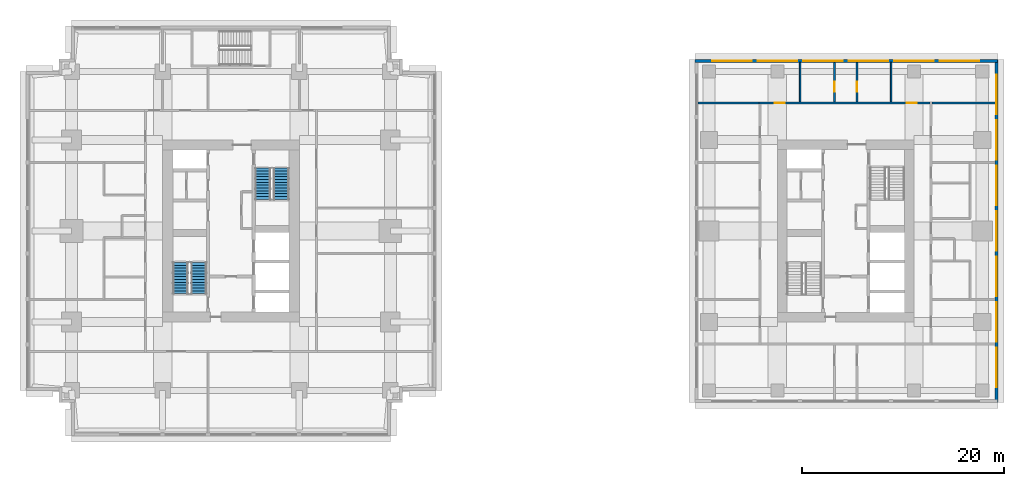
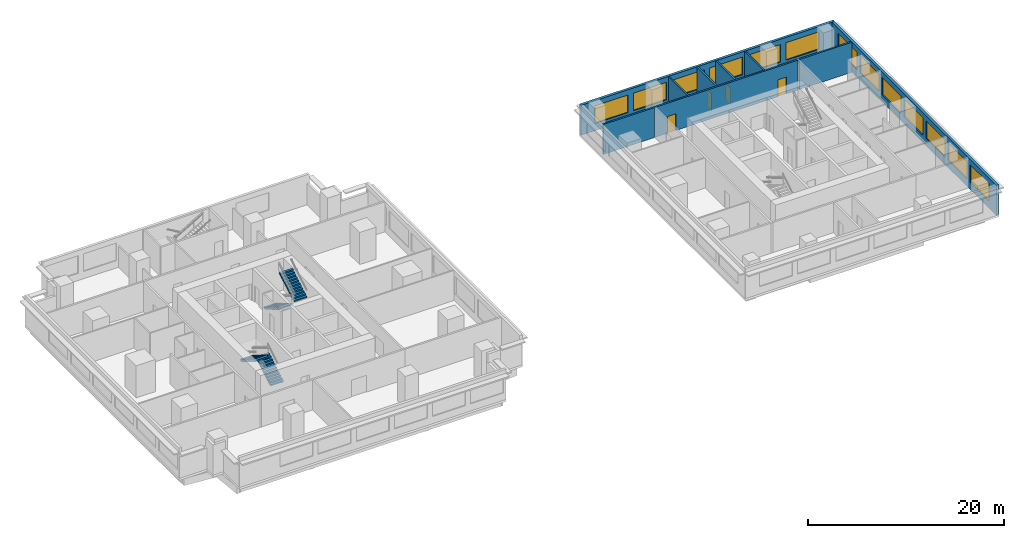
# One storey, part 8 of 11: 13 windows, 9 walls, 4 doors, 4 stair flights, 17 openings, 2 elements without a shape of their own.
"""IFC4 building model written with IfcOpenShell, lengths in metres."""

from ifc_helpers import new_model, si_unit, direction, frame, frame_2d, origin, place, context, subcontext, project, spatial, polyline, rectangle, outline, extrude, material, layer, layer_set, type_object, element, fill, aggregate, save


model = new_model("IFC4")

# Units and contexts
model_context = context("Model", 3, precision=1e-05, world=origin(), true_north=direction((0.0, 1.0)))
body_context = subcontext(model_context, "Body", "Model", "MODEL_VIEW")
ifc_project = project(units=[si_unit("LENGTHUNIT", "METRE"), si_unit("AREAUNIT", "SQUARE_METRE"), si_unit("VOLUMEUNIT", "CUBIC_METRE"), si_unit("PLANEANGLEUNIT", "RADIAN"), si_unit("MASSUNIT", "GRAM", prefix="KILO")], contexts=[model_context])

# Site, building, storey
site_placement = place(None, origin())
site = spatial("IfcSite", under=ifc_project, at=site_placement, CompositionType="ELEMENT")
building_placement = place(site_placement, origin())
building = spatial("IfcBuilding", under=site, at=building_placement, Name="Namib Vertical Campus", CompositionType="ELEMENT")
storey_placement = place(building_placement, frame((0.0, 0.0, 225.0)))
storey = spatial("IfcBuildingStorey", under=building, at=storey_placement, Name="L53", CompositionType="ELEMENT", Elevation=225.0)

# Wall, openings, doors
ifc_material_1 = material(Name="Concrete masonry", Category="masonry")
ifc_layer_1 = layer(ifc_material_1, 0.199951171875)
ifc_layer_set_1 = layer_set([ifc_layer_1], Name="Corridor wall 200")
wall_type_1 = type_object("IfcWallType", Name="Corridor wall 200", PredefinedType="SOLIDWALL", material=ifc_layer_set_1)
wall_1_placement = place(storey_placement, frame((89.35009765625, 32.89990234375, 0.0), z_axis=(0.0, 0.0, 1.0), x_axis=(-1.0, 0.0, 0.0)))
wall_1 = element("IfcWall", 1, at=wall_1_placement, inside=storey, type_object=wall_type_1, Name="Corridor wall B L53 CN", PredefinedType="SOLIDWALL", context=body_context, shape_type="SweptSolid", body=[
    extrude(rectangle(XDim=16.900146484375, YDim=0.199951171875, at=frame_2d((8.4501953125, 0.0))), origin(), (0.0, 0.0, 1.0), 3.75),
])
opening_1_placement = place(wall_1_placement, frame((14.375, 0.0, 0.0)))
opening_1 = element("IfcOpeningElement", 2, at=opening_1_placement, cuts=wall_1, Name="Opening CD1", PredefinedType="OPENING", context=body_context, shape_type="SweptSolid", body=[
    extrude(rectangle(XDim=1.0, YDim=2.10009765625, at=frame_2d((0.5, 1.050048828125))), frame((0.0, 0.10986328125, 0.0), z_axis=(0.0, -1.0, 0.0), x_axis=(1.0, 0.0, 0.0)), (0.0, 0.0, 1.0), 0.219970703125),
])
opening_2_placement = place(wall_1_placement, frame((1.324951171875, 0.0, 0.0)))
opening_2 = element("IfcOpeningElement", 3, at=opening_2_placement, cuts=wall_1, Name="Opening CD1", PredefinedType="OPENING", context=body_context, shape_type="SweptSolid", body=[
    extrude(rectangle(XDim=1.0, YDim=2.10009765625, at=frame_2d((0.5, 1.050048828125))), frame((0.0, 0.10986328125, 0.0), z_axis=(0.0, -1.0, 0.0), x_axis=(1.0, 0.0, 0.0)), (0.0, 0.0, 1.0), 0.219970703125),
])
ifc_material_2 = material(Name="Timber fire door leaf", Category="wood")
door_type = type_object("IfcDoorType", Name="Corridor door 1000x2100 20 min", OperationType="SINGLE_SWING_LEFT", PredefinedType="DOOR", material=ifc_material_2)
door_1_placement = place(opening_1_placement, frame((1.0, 0.0, 0.0), z_axis=(0.0, 0.0, 1.0), x_axis=(-1.0, 0.0, 0.0)))
door_1 = element("IfcDoor", 4, at=door_1_placement, inside=storey, type_object=door_type, Name="Door CD1 B53-10", OperationType="SINGLE_SWING_RIGHT", OverallHeight=2.10009765625, OverallWidth=1.0, PredefinedType="DOOR", context=body_context, shape_type="SweptSolid", body=[
    extrude(rectangle(XDim=1.0, YDim=2.10009765625, at=frame_2d((0.5, 1.050048828125))), frame((0.0, 0.02490234375, 0.0), z_axis=(0.0, -1.0, 0.0), x_axis=(1.0, 0.0, 0.0)), (0.0, 0.0, 1.0), 0.050048828125),
])
fill(opening_1, door_1)
door_2_placement = place(opening_2_placement, frame((1.0, 0.0, 0.0), z_axis=(0.0, 0.0, 1.0), x_axis=(-1.0, 0.0, 0.0)))
door_2 = element("IfcDoor", 5, at=door_2_placement, inside=storey, type_object=door_type, Name="Door CD1 B53-13", OperationType="SINGLE_SWING_LEFT", OverallHeight=2.10009765625, OverallWidth=1.0, PredefinedType="DOOR", context=body_context, shape_type="SweptSolid", body=[
    extrude(rectangle(XDim=1.0, YDim=2.10009765625, at=frame_2d((0.5, 1.050048828125))), frame((0.0, 0.02490234375, 0.0), z_axis=(0.0, -1.0, 0.0), x_axis=(1.0, 0.0, 0.0)), (0.0, 0.0, 1.0), 0.050048828125),
])
fill(opening_2, door_2)

# Wall, opening, door
wall_2_placement = place(storey_placement, frame((79.89990234375, 33.0, 0.0), z_axis=(0.0, 0.0, 1.0), x_axis=(0.0, 1.0, 0.0)))
wall_2 = element("IfcWall", 6, at=wall_2_placement, inside=storey, type_object=wall_type_1, Name="Corridor wall B L53 SPN1", PredefinedType="SOLIDWALL", context=body_context, shape_type="SweptSolid", body=[
    extrude(rectangle(XDim=3.89990234375, YDim=0.199951171875, at=frame_2d((1.949951171875, 0.0))), origin(), (0.0, 0.0, 1.0), 3.75),
])
opening_3_placement = place(wall_2_placement, frame((1.0, 0.0, 0.0)))
opening_3 = element("IfcOpeningElement", 7, at=opening_3_placement, cuts=wall_2, Name="Opening CD1", PredefinedType="OPENING", context=body_context, shape_type="SweptSolid", body=[
    extrude(rectangle(XDim=1.0, YDim=2.10009765625, at=frame_2d((0.5, 1.050048828125))), frame((0.0, 0.10986328125, 0.0), z_axis=(0.0, -1.0, 0.0), x_axis=(1.0, 0.0, 0.0)), (0.0, 0.0, 1.0), 0.219970703125),
])
door_3_placement = place(opening_3_placement, origin())
door_3 = element("IfcDoor", 8, at=door_3_placement, inside=storey, type_object=door_type, Name="Door CD1 B53-11", OperationType="SINGLE_SWING_LEFT", OverallHeight=2.10009765625, OverallWidth=1.0, PredefinedType="DOOR", context=body_context, shape_type="SweptSolid", body=[
    extrude(rectangle(XDim=1.0, YDim=2.10009765625, at=frame_2d((0.5, 1.050048828125))), frame((0.0, 0.02490234375, 0.0), z_axis=(0.0, -1.0, 0.0), x_axis=(1.0, 0.0, 0.0)), (0.0, 0.0, 1.0), 0.050048828125),
])
fill(opening_3, door_3)

wall_3_placement = place(storey_placement, frame((82.10009765625, 36.89990234375, 0.0), z_axis=(0.0, 0.0, 1.0), x_axis=(0.0, -1.0, 0.0)))
wall_3 = element("IfcWall", 9, at=wall_3_placement, inside=storey, type_object=wall_type_1, Name="Corridor wall B L53 SPN2", PredefinedType="SOLIDWALL", context=body_context, shape_type="SweptSolid", body=[
    extrude(rectangle(XDim=3.89990234375, YDim=0.199951171875, at=frame_2d((1.949951171875, 0.0))), origin(), (0.0, 0.0, 1.0), 3.75),
])
opening_4_placement = place(wall_3_placement, frame((1.89990234375, 0.0, 0.0)))
opening_4 = element("IfcOpeningElement", 10, at=opening_4_placement, cuts=wall_3, Name="Opening CD1", PredefinedType="OPENING", context=body_context, shape_type="SweptSolid", body=[
    extrude(rectangle(XDim=1.0, YDim=2.10009765625, at=frame_2d((0.5, 1.050048828125))), frame((0.0, 0.10986328125, 0.0), z_axis=(0.0, -1.0, 0.0), x_axis=(1.0, 0.0, 0.0)), (0.0, 0.0, 1.0), 0.219970703125),
])
door_4_placement = place(opening_4_placement, origin())
door_4 = element("IfcDoor", 11, at=door_4_placement, inside=storey, type_object=door_type, Name="Door CD1 B53-12", OperationType="SINGLE_SWING_RIGHT", OverallHeight=2.10009765625, OverallWidth=1.0, PredefinedType="DOOR", context=body_context, shape_type="SweptSolid", body=[
    extrude(rectangle(XDim=1.0, YDim=2.10009765625, at=frame_2d((0.5, 1.050048828125))), frame((0.0, 0.02490234375, 0.0), z_axis=(0.0, -1.0, 0.0), x_axis=(1.0, 0.0, 0.0)), (0.0, 0.0, 1.0), 0.050048828125),
])
fill(opening_4, door_4)

# Walls
wall_4_placement = place(storey_placement, frame((66.39990234375, 32.89990234375, 0.0), z_axis=(0.0, 0.0, 1.0), x_axis=(1.0, 0.0, 0.0)))
element("IfcWall", 12, at=wall_4_placement, inside=storey, type_object=wall_type_1, Name="Partition B L53 BNW", PredefinedType="SOLIDWALL", context=body_context, shape_type="SweptSolid", body=[
    extrude(rectangle(XDim=6.050048828125, YDim=0.199951171875, at=frame_2d((3.02490234375, 0.0))), origin(), (0.0, 0.0, 1.0), 3.75),
])
wall_5_placement = place(storey_placement, frame((89.550048828125, 32.89990234375, 0.0), z_axis=(0.0, 0.0, 1.0), x_axis=(1.0, 0.0, 0.0)))
element("IfcWall", 13, at=wall_5_placement, inside=storey, type_object=wall_type_1, Name="Partition B L53 BNE", PredefinedType="SOLIDWALL", context=body_context, shape_type="SweptSolid", body=[
    extrude(rectangle(XDim=6.199951171875, YDim=0.199951171875, at=frame_2d((3.10009765625, 0.0))), origin(), (0.0, 0.0, 1.0), 3.75),
])

# Wall, openings, windows
ifc_material_3 = material(Name="Concrete C40/50", Category="concrete")
ifc_layer_2 = layer(ifc_material_3, 0.300048828125)
ifc_layer_set_2 = layer_set([ifc_layer_2], Name="Concrete C40/50")
wall_type_2 = type_object("IfcWallType", Name="External wall 300 board-marked concrete", PredefinedType="STANDARD", material=ifc_layer_set_2)
wall_6_placement = place(storey_placement, frame((95.89990234375, 3.320068359375, 0.0), z_axis=(0.0, 0.0, 1.0), x_axis=(0.0, 1.0, 0.0)))
wall_6 = element("IfcWall", 14, at=wall_6_placement, inside=storey, type_object=wall_type_2, Name="External wall L53 F02", PredefinedType="STANDARD", context=body_context, shape_type="SweptSolid", body=[
    extrude(rectangle(XDim=33.85986328125, YDim=0.300048828125, at=frame_2d((16.929931640625, 0.0))), origin(), (0.0, 0.0, 1.0), 3.75),
])
opening_5_placement = place(wall_6_placement, frame((1.47998046875, 0.0, 0.89990234375)))
opening_5 = element("IfcOpeningElement", 15, at=opening_5_placement, cuts=wall_6, Name="Opening W1", PredefinedType="OPENING", context=body_context, shape_type="SweptSolid", body=[
    extrude(rectangle(XDim=3.89990234375, YDim=2.199951171875, at=frame_2d((1.949951171875, 1.10009765625))), frame((0.0, 0.159912109375, 0.0), z_axis=(0.0, -1.0, 0.0), x_axis=(1.0, 0.0, 0.0)), (0.0, 0.0, 1.0), 0.320068359375),
])
opening_6_placement = place(wall_6_placement, frame((5.97998046875, 0.0, 0.89990234375)))
opening_6 = element("IfcOpeningElement", 16, at=opening_6_placement, cuts=wall_6, Name="Opening W1", PredefinedType="OPENING", context=body_context, shape_type="SweptSolid", body=[
    extrude(rectangle(XDim=3.89990234375, YDim=2.199951171875, at=frame_2d((1.949951171875, 1.10009765625))), frame((0.0, 0.159912109375, 0.0), z_axis=(0.0, -1.0, 0.0), x_axis=(1.0, 0.0, 0.0)), (0.0, 0.0, 1.0), 0.320068359375),
])
opening_7_placement = place(wall_6_placement, frame((10.47998046875, 0.0, 0.89990234375)))
opening_7 = element("IfcOpeningElement", 17, at=opening_7_placement, cuts=wall_6, Name="Opening W1", PredefinedType="OPENING", context=body_context, shape_type="SweptSolid", body=[
    extrude(rectangle(XDim=3.89990234375, YDim=2.199951171875, at=frame_2d((1.949951171875, 1.10009765625))), frame((0.0, 0.159912109375, 0.0), z_axis=(0.0, -1.0, 0.0), x_axis=(1.0, 0.0, 0.0)), (0.0, 0.0, 1.0), 0.320068359375),
])
opening_8_placement = place(wall_6_placement, frame((14.97998046875, 0.0, 0.89990234375)))
opening_8 = element("IfcOpeningElement", 18, at=opening_8_placement, cuts=wall_6, Name="Opening W1", PredefinedType="OPENING", context=body_context, shape_type="SweptSolid", body=[
    extrude(rectangle(XDim=3.89990234375, YDim=2.199951171875, at=frame_2d((1.949951171875, 1.10009765625))), frame((0.0, 0.159912109375, 0.0), z_axis=(0.0, -1.0, 0.0), x_axis=(1.0, 0.0, 0.0)), (0.0, 0.0, 1.0), 0.320068359375),
])
opening_9_placement = place(wall_6_placement, frame((19.47998046875, 0.0, 0.89990234375)))
opening_9 = element("IfcOpeningElement", 19, at=opening_9_placement, cuts=wall_6, Name="Opening W1", PredefinedType="OPENING", context=body_context, shape_type="SweptSolid", body=[
    extrude(rectangle(XDim=3.89990234375, YDim=2.199951171875, at=frame_2d((1.949951171875, 1.10009765625))), frame((0.0, 0.159912109375, 0.0), z_axis=(0.0, -1.0, 0.0), x_axis=(1.0, 0.0, 0.0)), (0.0, 0.0, 1.0), 0.320068359375),
])
opening_10_placement = place(wall_6_placement, frame((23.97998046875, 0.0, 0.89990234375)))
opening_10 = element("IfcOpeningElement", 20, at=opening_10_placement, cuts=wall_6, Name="Opening W1", PredefinedType="OPENING", context=body_context, shape_type="SweptSolid", body=[
    extrude(rectangle(XDim=3.89990234375, YDim=2.199951171875, at=frame_2d((1.949951171875, 1.10009765625))), frame((0.0, 0.159912109375, 0.0), z_axis=(0.0, -1.0, 0.0), x_axis=(1.0, 0.0, 0.0)), (0.0, 0.0, 1.0), 0.320068359375),
])
opening_11_placement = place(wall_6_placement, frame((28.47998046875, 0.0, 0.89990234375)))
opening_11 = element("IfcOpeningElement", 21, at=opening_11_placement, cuts=wall_6, Name="Opening W1", PredefinedType="OPENING", context=body_context, shape_type="SweptSolid", body=[
    extrude(rectangle(XDim=3.89990234375, YDim=2.199951171875, at=frame_2d((1.949951171875, 1.10009765625))), frame((0.0, 0.159912109375, 0.0), z_axis=(0.0, -1.0, 0.0), x_axis=(1.0, 0.0, 0.0)), (0.0, 0.0, 1.0), 0.320068359375),
])
ifc_material_4 = material(Name="Dark tinted glass in black aluminium frame", Category="aluminium")
window_type = type_object("IfcWindowType", Name="Ribbon window 3900x2200", PartitioningType="SINGLE_PANEL", PredefinedType="WINDOW", material=ifc_material_4)
window_1_placement = place(opening_5_placement, origin())
window_1 = element("IfcWindow", 22, at=window_1_placement, inside=storey, type_object=window_type, Name="Window W1 L53 F02-1", OverallHeight=2.199951171875, OverallWidth=3.89990234375, PartitioningType="SINGLE_PANEL", PredefinedType="WINDOW", context=body_context, shape_type="SweptSolid", body=[
    extrude(rectangle(XDim=3.89990234375, YDim=2.199951171875, at=frame_2d((1.949951171875, 1.10009765625))), frame((0.0, 0.030029296875, 0.0), z_axis=(0.0, -1.0, 0.0), x_axis=(1.0, 0.0, 0.0)), (0.0, 0.0, 1.0), 0.06005859375),
])
fill(opening_5, window_1)
window_2_placement = place(opening_6_placement, origin())
window_2 = element("IfcWindow", 23, at=window_2_placement, inside=storey, type_object=window_type, Name="Window W1 L53 F02-2", OverallHeight=2.199951171875, OverallWidth=3.89990234375, PartitioningType="SINGLE_PANEL", PredefinedType="WINDOW", context=body_context, shape_type="SweptSolid", body=[
    extrude(rectangle(XDim=3.89990234375, YDim=2.199951171875, at=frame_2d((1.949951171875, 1.10009765625))), frame((0.0, 0.030029296875, 0.0), z_axis=(0.0, -1.0, 0.0), x_axis=(1.0, 0.0, 0.0)), (0.0, 0.0, 1.0), 0.06005859375),
])
fill(opening_6, window_2)
window_3_placement = place(opening_7_placement, origin())
window_3 = element("IfcWindow", 24, at=window_3_placement, inside=storey, type_object=window_type, Name="Window W1 L53 F02-3", OverallHeight=2.199951171875, OverallWidth=3.89990234375, PartitioningType="SINGLE_PANEL", PredefinedType="WINDOW", context=body_context, shape_type="SweptSolid", body=[
    extrude(rectangle(XDim=3.89990234375, YDim=2.199951171875, at=frame_2d((1.949951171875, 1.10009765625))), frame((0.0, 0.030029296875, 0.0), z_axis=(0.0, -1.0, 0.0), x_axis=(1.0, 0.0, 0.0)), (0.0, 0.0, 1.0), 0.06005859375),
])
fill(opening_7, window_3)
window_4_placement = place(opening_8_placement, origin())
window_4 = element("IfcWindow", 25, at=window_4_placement, inside=storey, type_object=window_type, Name="Window W1 L53 F02-4", OverallHeight=2.199951171875, OverallWidth=3.89990234375, PartitioningType="SINGLE_PANEL", PredefinedType="WINDOW", context=body_context, shape_type="SweptSolid", body=[
    extrude(rectangle(XDim=3.89990234375, YDim=2.199951171875, at=frame_2d((1.949951171875, 1.10009765625))), frame((0.0, 0.030029296875, 0.0), z_axis=(0.0, -1.0, 0.0), x_axis=(1.0, 0.0, 0.0)), (0.0, 0.0, 1.0), 0.06005859375),
])
fill(opening_8, window_4)
window_5_placement = place(opening_9_placement, origin())
window_5 = element("IfcWindow", 26, at=window_5_placement, inside=storey, type_object=window_type, Name="Window W1 L53 F02-5", OverallHeight=2.199951171875, OverallWidth=3.89990234375, PartitioningType="SINGLE_PANEL", PredefinedType="WINDOW", context=body_context, shape_type="SweptSolid", body=[
    extrude(rectangle(XDim=3.89990234375, YDim=2.199951171875, at=frame_2d((1.949951171875, 1.10009765625))), frame((0.0, 0.030029296875, 0.0), z_axis=(0.0, -1.0, 0.0), x_axis=(1.0, 0.0, 0.0)), (0.0, 0.0, 1.0), 0.06005859375),
])
fill(opening_9, window_5)
window_6_placement = place(opening_10_placement, origin())
window_6 = element("IfcWindow", 27, at=window_6_placement, inside=storey, type_object=window_type, Name="Window W1 L53 F02-6", OverallHeight=2.199951171875, OverallWidth=3.89990234375, PartitioningType="SINGLE_PANEL", PredefinedType="WINDOW", context=body_context, shape_type="SweptSolid", body=[
    extrude(rectangle(XDim=3.89990234375, YDim=2.199951171875, at=frame_2d((1.949951171875, 1.10009765625))), frame((0.0, 0.030029296875, 0.0), z_axis=(0.0, -1.0, 0.0), x_axis=(1.0, 0.0, 0.0)), (0.0, 0.0, 1.0), 0.06005859375),
])
fill(opening_10, window_6)
window_7_placement = place(opening_11_placement, origin())
window_7 = element("IfcWindow", 28, at=window_7_placement, inside=storey, type_object=window_type, Name="Window W1 L53 F02-7", OverallHeight=2.199951171875, OverallWidth=3.89990234375, PartitioningType="SINGLE_PANEL", PredefinedType="WINDOW", context=body_context, shape_type="SweptSolid", body=[
    extrude(rectangle(XDim=3.89990234375, YDim=2.199951171875, at=frame_2d((1.949951171875, 1.10009765625))), frame((0.0, 0.030029296875, 0.0), z_axis=(0.0, -1.0, 0.0), x_axis=(1.0, 0.0, 0.0)), (0.0, 0.0, 1.0), 0.06005859375),
])
fill(opening_11, window_7)

wall_7_placement = place(storey_placement, frame((96.030029296875, 37.050048828125, 0.0), z_axis=(0.0, 0.0, 1.0), x_axis=(-1.0, 0.0, 0.0)))
wall_7 = element("IfcWall", 29, at=wall_7_placement, inside=storey, type_object=wall_type_2, Name="External wall L53 F03", PredefinedType="STANDARD", context=body_context, shape_type="SweptSolid", body=[
    extrude(rectangle(XDim=29.909912109375, YDim=0.300048828125, at=frame_2d((14.955078125, 0.0))), origin(), (0.0, 0.0, 1.0), 3.75),
])
opening_12_placement = place(wall_7_placement, frame((24.330078125, 0.0, 0.89990234375)))
opening_12 = element("IfcOpeningElement", 30, at=opening_12_placement, cuts=wall_7, Name="Opening W1", PredefinedType="OPENING", context=body_context, shape_type="SweptSolid", body=[
    extrude(rectangle(XDim=3.89990234375, YDim=2.199951171875, at=frame_2d((1.949951171875, 1.10009765625))), frame((0.0, 0.159912109375, 0.0), z_axis=(0.0, -1.0, 0.0), x_axis=(1.0, 0.0, 0.0)), (0.0, 0.0, 1.0), 0.320068359375),
])
opening_13_placement = place(wall_7_placement, frame((19.830078125, 0.0, 0.89990234375)))
opening_13 = element("IfcOpeningElement", 31, at=opening_13_placement, cuts=wall_7, Name="Opening W1", PredefinedType="OPENING", context=body_context, shape_type="SweptSolid", body=[
    extrude(rectangle(XDim=3.89990234375, YDim=2.199951171875, at=frame_2d((1.949951171875, 1.10009765625))), frame((0.0, 0.159912109375, 0.0), z_axis=(0.0, -1.0, 0.0), x_axis=(1.0, 0.0, 0.0)), (0.0, 0.0, 1.0), 0.320068359375),
])
opening_14_placement = place(wall_7_placement, frame((15.330078125, 0.0, 0.89990234375)))
opening_14 = element("IfcOpeningElement", 32, at=opening_14_placement, cuts=wall_7, Name="Opening W1", PredefinedType="OPENING", context=body_context, shape_type="SweptSolid", body=[
    extrude(rectangle(XDim=3.89990234375, YDim=2.199951171875, at=frame_2d((1.949951171875, 1.10009765625))), frame((0.0, 0.159912109375, 0.0), z_axis=(0.0, -1.0, 0.0), x_axis=(1.0, 0.0, 0.0)), (0.0, 0.0, 1.0), 0.320068359375),
])
opening_15_placement = place(wall_7_placement, frame((10.830078125, 0.0, 0.89990234375)))
opening_15 = element("IfcOpeningElement", 33, at=opening_15_placement, cuts=wall_7, Name="Opening W1", PredefinedType="OPENING", context=body_context, shape_type="SweptSolid", body=[
    extrude(rectangle(XDim=3.89990234375, YDim=2.199951171875, at=frame_2d((1.949951171875, 1.10009765625))), frame((0.0, 0.159912109375, 0.0), z_axis=(0.0, -1.0, 0.0), x_axis=(1.0, 0.0, 0.0)), (0.0, 0.0, 1.0), 0.320068359375),
])
opening_16_placement = place(wall_7_placement, frame((6.330078125, 0.0, 0.89990234375)))
opening_16 = element("IfcOpeningElement", 34, at=opening_16_placement, cuts=wall_7, Name="Opening W1", PredefinedType="OPENING", context=body_context, shape_type="SweptSolid", body=[
    extrude(rectangle(XDim=3.89990234375, YDim=2.199951171875, at=frame_2d((1.949951171875, 1.10009765625))), frame((0.0, 0.159912109375, 0.0), z_axis=(0.0, -1.0, 0.0), x_axis=(1.0, 0.0, 0.0)), (0.0, 0.0, 1.0), 0.320068359375),
])
opening_17_placement = place(wall_7_placement, frame((1.830078125, 0.0, 0.89990234375)))
opening_17 = element("IfcOpeningElement", 35, at=opening_17_placement, cuts=wall_7, Name="Opening W1", PredefinedType="OPENING", context=body_context, shape_type="SweptSolid", body=[
    extrude(rectangle(XDim=3.89990234375, YDim=2.199951171875, at=frame_2d((1.949951171875, 1.10009765625))), frame((0.0, 0.159912109375, 0.0), z_axis=(0.0, -1.0, 0.0), x_axis=(1.0, 0.0, 0.0)), (0.0, 0.0, 1.0), 0.320068359375),
])
window_8_placement = place(opening_12_placement, origin())
window_8 = element("IfcWindow", 36, at=window_8_placement, inside=storey, type_object=window_type, Name="Window W1 L53 F03-1", OverallHeight=2.199951171875, OverallWidth=3.89990234375, PartitioningType="SINGLE_PANEL", PredefinedType="WINDOW", context=body_context, shape_type="SweptSolid", body=[
    extrude(rectangle(XDim=3.89990234375, YDim=2.199951171875, at=frame_2d((1.949951171875, 1.10009765625))), frame((0.0, 0.030029296875, 0.0), z_axis=(0.0, -1.0, 0.0), x_axis=(1.0, 0.0, 0.0)), (0.0, 0.0, 1.0), 0.06005859375),
])
fill(opening_12, window_8)
window_9_placement = place(opening_13_placement, origin())
window_9 = element("IfcWindow", 37, at=window_9_placement, inside=storey, type_object=window_type, Name="Window W1 L53 F03-2", OverallHeight=2.199951171875, OverallWidth=3.89990234375, PartitioningType="SINGLE_PANEL", PredefinedType="WINDOW", context=body_context, shape_type="SweptSolid", body=[
    extrude(rectangle(XDim=3.89990234375, YDim=2.199951171875, at=frame_2d((1.949951171875, 1.10009765625))), frame((0.0, 0.030029296875, 0.0), z_axis=(0.0, -1.0, 0.0), x_axis=(1.0, 0.0, 0.0)), (0.0, 0.0, 1.0), 0.06005859375),
])
fill(opening_13, window_9)
window_10_placement = place(opening_14_placement, origin())
window_10 = element("IfcWindow", 38, at=window_10_placement, inside=storey, type_object=window_type, Name="Window W1 L53 F03-3", OverallHeight=2.199951171875, OverallWidth=3.89990234375, PartitioningType="SINGLE_PANEL", PredefinedType="WINDOW", context=body_context, shape_type="SweptSolid", body=[
    extrude(rectangle(XDim=3.89990234375, YDim=2.199951171875, at=frame_2d((1.949951171875, 1.10009765625))), frame((0.0, 0.030029296875, 0.0), z_axis=(0.0, -1.0, 0.0), x_axis=(1.0, 0.0, 0.0)), (0.0, 0.0, 1.0), 0.06005859375),
])
fill(opening_14, window_10)
window_11_placement = place(opening_15_placement, origin())
window_11 = element("IfcWindow", 39, at=window_11_placement, inside=storey, type_object=window_type, Name="Window W1 L53 F03-4", OverallHeight=2.199951171875, OverallWidth=3.89990234375, PartitioningType="SINGLE_PANEL", PredefinedType="WINDOW", context=body_context, shape_type="SweptSolid", body=[
    extrude(rectangle(XDim=3.89990234375, YDim=2.199951171875, at=frame_2d((1.949951171875, 1.10009765625))), frame((0.0, 0.030029296875, 0.0), z_axis=(0.0, -1.0, 0.0), x_axis=(1.0, 0.0, 0.0)), (0.0, 0.0, 1.0), 0.06005859375),
])
fill(opening_15, window_11)
window_12_placement = place(opening_16_placement, origin())
window_12 = element("IfcWindow", 40, at=window_12_placement, inside=storey, type_object=window_type, Name="Window W1 L53 F03-5", OverallHeight=2.199951171875, OverallWidth=3.89990234375, PartitioningType="SINGLE_PANEL", PredefinedType="WINDOW", context=body_context, shape_type="SweptSolid", body=[
    extrude(rectangle(XDim=3.89990234375, YDim=2.199951171875, at=frame_2d((1.949951171875, 1.10009765625))), frame((0.0, 0.030029296875, 0.0), z_axis=(0.0, -1.0, 0.0), x_axis=(1.0, 0.0, 0.0)), (0.0, 0.0, 1.0), 0.06005859375),
])
fill(opening_16, window_12)
window_13_placement = place(opening_17_placement, origin())
window_13 = element("IfcWindow", 41, at=window_13_placement, inside=storey, type_object=window_type, Name="Window W1 L53 F03-6", OverallHeight=2.199951171875, OverallWidth=3.89990234375, PartitioningType="SINGLE_PANEL", PredefinedType="WINDOW", context=body_context, shape_type="SweptSolid", body=[
    extrude(rectangle(XDim=3.89990234375, YDim=2.199951171875, at=frame_2d((1.949951171875, 1.10009765625))), frame((0.0, 0.030029296875, 0.0), z_axis=(0.0, -1.0, 0.0), x_axis=(1.0, 0.0, 0.0)), (0.0, 0.0, 1.0), 0.06005859375),
])
fill(opening_17, window_13)

# Walls
ifc_material_5 = material(Name="Gypsum board on steel studs", Category="steel")
ifc_layer_3 = layer(ifc_material_5, 0.14990234375)
ifc_layer_set_3 = layer_set([ifc_layer_3], Name="Gypsum board on steel studs")
wall_type_3 = type_object("IfcWallType", Name="Partition 150", PredefinedType="PARTITIONING", material=ifc_layer_set_3)
for number, where, z_axis, x_axis, name in (
    (42, (76.5, 33.0, 0.0), (0.0, 0.0, 1.0), (0.0, 1.0, 0.0), "Partition B L53 PN1"),
    (43, (85.5, 33.0, 0.0), (0.0, 0.0, 1.0), (0.0, 1.0, 0.0), "Partition B L53 PN4"),
):
    element("IfcWall", number, at=place(storey_placement, frame(where, z_axis=z_axis, x_axis=x_axis)), inside=storey, type_object=wall_type_3, Name=name, PredefinedType="PARTITIONING", context=body_context, shape_type="SweptSolid", body=[
        extrude(rectangle(XDim=3.89990234375, YDim=0.14990234375, at=frame_2d((1.949951171875, 0.0))), origin(), (0.0, 0.0, 1.0), 3.75),
    ])

# Stair, stair flights
ifc_material_6 = material(Name="Concrete C40/50 precast", Category="concrete")
stair_type = type_object("IfcStairType", Name="Exit stair 4000 rise 24 risers 3350 wide", PredefinedType="HALF_TURN_STAIR", material=ifc_material_6)
stair_1_placement = place(storey_placement, origin())
stair_1 = element("IfcStair", 44, at=stair_1_placement, inside=storey, type_object=stair_type, Name="Exit stair A-S1 L53", PredefinedType="HALF_TURN_STAIR")
ifc_material_7 = material(Name="Concrete C40/50 precast", Category="concrete")
stair_flight_type = type_object("IfcStairFlightType", Name="Stair flight 12 risers 167 1525 wide", PredefinedType="STRAIGHT", material=ifc_material_7)
stair_flight_1_placement = place(storey_placement, frame((17.08740234375, 14.050048828125, 0.0), z_axis=(0.0, 0.0, 1.0), x_axis=(0.0, 1.0, 0.0)))
stair_flight_1 = element("IfcStairFlight", 45, at=stair_flight_1_placement, type_object=stair_flight_type, Name="A-S1 flight 1", NumberOfRisers=12, NumberOfTreads=11, PredefinedType="STRAIGHT", RiserHeight=0.166666667, TreadLength=0.28, context=body_context, shape_type="SweptSolid", body=[
    extrude(outline(polyline([(0.0, 0.0), (0.0, 0.166748046875), (0.280029296875, 0.166748046875), (0.280029296875, 0.333251953125), (0.56005859375, 0.333251953125), (0.56005859375, 0.5), (0.840087890625, 0.5), (0.840087890625, 0.666748046875), (1.1201171875, 0.666748046875), (1.1201171875, 0.833251953125), (1.39990234375, 0.833251953125), (1.39990234375, 1.0), (1.679931640625, 1.0), (1.679931640625, 1.166748046875), (1.9599609375, 1.166748046875), (1.9599609375, 1.333251953125), (2.239990234375, 1.333251953125), (2.239990234375, 1.5), (2.52001953125, 1.5), (2.52001953125, 1.666748046875), (2.800048828125, 1.666748046875), (2.800048828125, 1.833251953125), (3.080078125, 1.833251953125), (3.080078125, 2.0), (3.080078125, 1.658935546875), (0.29296875, 0.0), (0.0, 0.0)])), frame((0.0, 0.762451171875, 0.0), z_axis=(0.0, -1.0, 0.0), x_axis=(1.0, 0.0, 0.0)), (0.0, 0.0, 1.0), 1.52490234375),
])
stair_flight_2_placement = place(storey_placement, frame((15.262451171875, 17.1298828125, 2.0), z_axis=(0.0, 0.0, 1.0), x_axis=(0.0, -1.0, 0.0)))
stair_flight_2 = element("IfcStairFlight", 46, at=stair_flight_2_placement, type_object=stair_flight_type, Name="A-S1 flight 2", NumberOfRisers=12, NumberOfTreads=11, PredefinedType="STRAIGHT", RiserHeight=0.166666667, TreadLength=0.28, context=body_context, shape_type="SweptSolid", body=[
    extrude(outline(polyline([(0.0, 0.0), (0.0, 0.166748046875), (0.280029296875, 0.166748046875), (0.280029296875, 0.333251953125), (0.56005859375, 0.333251953125), (0.56005859375, 0.5), (0.840087890625, 0.5), (0.840087890625, 0.666748046875), (1.1201171875, 0.666748046875), (1.1201171875, 0.833251953125), (1.39990234375, 0.833251953125), (1.39990234375, 1.0), (1.679931640625, 1.0), (1.679931640625, 1.166748046875), (1.9599609375, 1.166748046875), (1.9599609375, 1.333251953125), (2.239990234375, 1.333251953125), (2.239990234375, 1.5), (2.52001953125, 1.5), (2.52001953125, 1.666748046875), (2.800048828125, 1.666748046875), (2.800048828125, 1.833251953125), (3.080078125, 1.833251953125), (3.080078125, 2.0), (3.080078125, 1.658935546875), (0.29296875, 0.0), (0.0, 0.0)])), frame((0.0, 0.762451171875, 0.0), z_axis=(0.0, -1.0, 0.0), x_axis=(1.0, 0.0, 0.0)), (0.0, 0.0, 1.0), 1.52490234375),
])
aggregate(stair_1, [stair_flight_1, stair_flight_2])

stair_2_placement = place(storey_placement, origin())
stair_2 = element("IfcStair", 47, at=stair_2_placement, inside=storey, type_object=stair_type, Name="Exit stair A-S2 L53", PredefinedType="HALF_TURN_STAIR")
stair_flight_3_placement = place(storey_placement, frame((23.41259765625, 26.449951171875, 0.0), z_axis=(0.0, 0.0, 1.0), x_axis=(0.0, -1.0, 0.0)))
stair_flight_3 = element("IfcStairFlight", 48, at=stair_flight_3_placement, type_object=stair_flight_type, Name="A-S2 flight 1", NumberOfRisers=12, NumberOfTreads=11, PredefinedType="STRAIGHT", RiserHeight=0.166666667, TreadLength=0.28, context=body_context, shape_type="SweptSolid", body=[
    extrude(outline(polyline([(0.0, 0.0), (0.0, 0.166748046875), (0.280029296875, 0.166748046875), (0.280029296875, 0.333251953125), (0.56005859375, 0.333251953125), (0.56005859375, 0.5), (0.840087890625, 0.5), (0.840087890625, 0.666748046875), (1.1201171875, 0.666748046875), (1.1201171875, 0.833251953125), (1.39990234375, 0.833251953125), (1.39990234375, 1.0), (1.679931640625, 1.0), (1.679931640625, 1.166748046875), (1.9599609375, 1.166748046875), (1.9599609375, 1.333251953125), (2.239990234375, 1.333251953125), (2.239990234375, 1.5), (2.52001953125, 1.5), (2.52001953125, 1.666748046875), (2.800048828125, 1.666748046875), (2.800048828125, 1.833251953125), (3.080078125, 1.833251953125), (3.080078125, 2.0), (3.080078125, 1.658935546875), (0.29296875, 0.0), (0.0, 0.0)])), frame((0.0, 0.762451171875, 0.0), z_axis=(0.0, -1.0, 0.0), x_axis=(1.0, 0.0, 0.0)), (0.0, 0.0, 1.0), 1.52490234375),
])
stair_flight_4_placement = place(storey_placement, frame((25.237548828125, 23.3701171875, 2.0), z_axis=(0.0, 0.0, 1.0), x_axis=(0.0, 1.0, 0.0)))
stair_flight_4 = element("IfcStairFlight", 49, at=stair_flight_4_placement, type_object=stair_flight_type, Name="A-S2 flight 2", NumberOfRisers=12, NumberOfTreads=11, PredefinedType="STRAIGHT", RiserHeight=0.166666667, TreadLength=0.28, context=body_context, shape_type="SweptSolid", body=[
    extrude(outline(polyline([(0.0, 0.0), (0.0, 0.166748046875), (0.280029296875, 0.166748046875), (0.280029296875, 0.333251953125), (0.56005859375, 0.333251953125), (0.56005859375, 0.5), (0.840087890625, 0.5), (0.840087890625, 0.666748046875), (1.1201171875, 0.666748046875), (1.1201171875, 0.833251953125), (1.39990234375, 0.833251953125), (1.39990234375, 1.0), (1.679931640625, 1.0), (1.679931640625, 1.166748046875), (1.9599609375, 1.166748046875), (1.9599609375, 1.333251953125), (2.239990234375, 1.333251953125), (2.239990234375, 1.5), (2.52001953125, 1.5), (2.52001953125, 1.666748046875), (2.800048828125, 1.666748046875), (2.800048828125, 1.833251953125), (3.080078125, 1.833251953125), (3.080078125, 2.0), (3.080078125, 1.658935546875), (0.29296875, 0.0), (0.0, 0.0)])), frame((0.0, 0.762451171875, 0.0), z_axis=(0.0, -1.0, 0.0), x_axis=(1.0, 0.0, 0.0)), (0.0, 0.0, 1.0), 1.52490234375),
])
aggregate(stair_2, [stair_flight_3, stair_flight_4])

save(model, "model.ifc")
